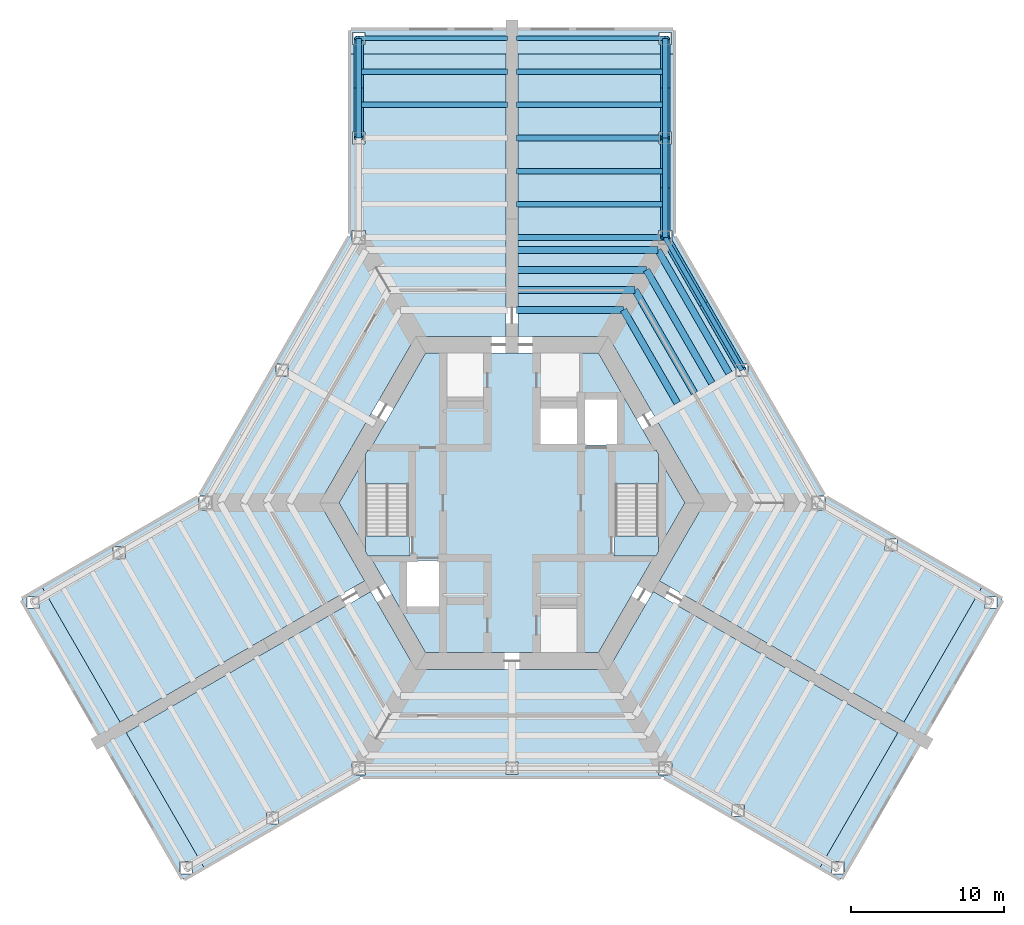
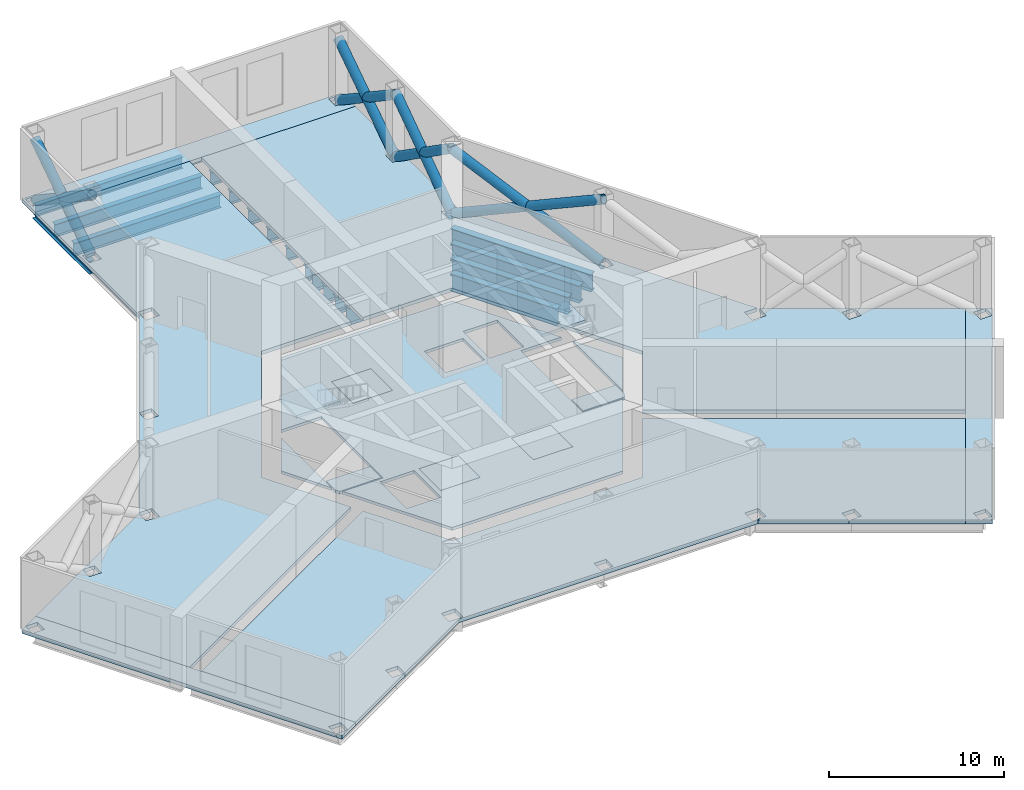
# One storey, part 3 of 8: 22 beams, 16 slabs, 8 members, 2 elements without a shape of their own.
"""IFC4 building model written with IfcOpenShell, lengths in metres."""

from ifc_helpers import new_model, si_unit, direction, frame, origin, origin_2d, place, context, subcontext, project, spatial, polyline, hollow_circle, i_section, outline, extrude, material, layer, layer_set, material_profile, profile_set, type_object, element, aggregate, save


model = new_model("IFC4")

# Units and contexts
model_context = context("Model", 3, precision=1e-05, world=origin(), true_north=direction((0.0, 1.0)))
body_context = subcontext(model_context, "Body", "Model", "MODEL_VIEW")
ifc_project = project(units=[si_unit("LENGTHUNIT", "METRE"), si_unit("AREAUNIT", "SQUARE_METRE"), si_unit("VOLUMEUNIT", "CUBIC_METRE"), si_unit("PLANEANGLEUNIT", "RADIAN"), si_unit("MASSUNIT", "GRAM", prefix="KILO")], contexts=[model_context])

# Site, building, storey
site_placement = place(None, origin())
site = spatial("IfcSite", under=ifc_project, at=site_placement, CompositionType="ELEMENT")
building_placement = place(site_placement, origin())
building = spatial("IfcBuilding", under=site, at=building_placement, Name="Kasaneha Research Tower", CompositionType="ELEMENT")
storey_placement = place(building_placement, frame((0.0, 0.0, 123.60009765625)))
storey = spatial("IfcBuildingStorey", under=building, at=storey_placement, Name="L31", CompositionType="ELEMENT", Elevation=123.60009765625)

# Beams
ifc_material_1 = material(Name="Steel SN490B", Category="steel")
ifc_material_profile_1 = material_profile(ifc_material_1, i_section(OverallWidth=0.449951171875, OverallDepth=1.199951171875, WebThickness=0.02197265625, FlangeThickness=0.0400390625, at=origin_2d()), Name="BH-1200x450x22x40")
ifc_profile_set_1 = profile_set([ifc_material_profile_1], Name="Steel SN490B")
beam_type_1 = type_object("IfcBeamType", Name="B1-5 secondary beam BH-1200x450x22x40", PredefinedType="JOIST", material=ifc_profile_set_1)
beam_1_placement = place(storey_placement, frame((7.274658203125, 12.60009765625, -0.85009765625), z_axis=(0.499989208252, -0.866031634313, 0.0), x_axis=(0.866031634313, 0.499989208252, 0.0)))
element("IfcBeam", 1, at=beam_1_placement, inside=storey, type_object=beam_type_1, Name="Secondary beam RS030R1 L31", PredefinedType="JOIST", context=body_context, shape_type="SweptSolid", body=[
    extrude(i_section(OverallWidth=0.449951171875, OverallDepth=1.199951171875, WebThickness=0.02197265625, FlangeThickness=0.0400390625, at=origin_2d()), origin(), (0.0, 0.0, 1.0), 7.024658203125),
])
beam_2_placement = place(storey_placement, frame((8.025146484375, 13.89990234375, -0.85009765625), z_axis=(0.500016004, -0.866016163673, 0.0), x_axis=(0.866016163673, 0.500016004, 0.0)))
element("IfcBeam", 2, at=beam_2_placement, inside=storey, type_object=beam_type_1, Name="Secondary beam RS030R2 L31", PredefinedType="JOIST", context=body_context, shape_type="SweptSolid", body=[
    extrude(i_section(OverallWidth=0.449951171875, OverallDepth=1.199951171875, WebThickness=0.02197265625, FlangeThickness=0.0400390625, at=origin_2d()), origin(), (0.0, 0.0, 1.0), 7.775146484375),
])
beam_3_placement = place(storey_placement, frame((8.775634765625, 15.199951171875, -0.85009765625), z_axis=(0.500004205306, -0.866022975836, 0.0), x_axis=(0.866022975836, 0.500004205306, 0.0)))
element("IfcBeam", 3, at=beam_3_placement, inside=storey, type_object=beam_type_1, Name="Secondary beam RS030R3 L31", PredefinedType="JOIST", context=body_context, shape_type="SweptSolid", body=[
    extrude(i_section(OverallWidth=0.449951171875, OverallDepth=1.199951171875, WebThickness=0.02197265625, FlangeThickness=0.0400390625, at=origin_2d()), origin(), (0.0, 0.0, 1.0), 8.52587890625),
])
beam_4_placement = place(storey_placement, frame((9.5263671875, 16.5, -0.85009765625), z_axis=(0.499985972961, -0.866033502147, 0.0), x_axis=(0.866033502147, 0.499985972961, 0.0)))
element("IfcBeam", 4, at=beam_4_placement, inside=storey, type_object=beam_type_1, Name="Secondary beam RS030R4 L31", PredefinedType="JOIST", context=body_context, shape_type="SweptSolid", body=[
    extrude(i_section(OverallWidth=0.449951171875, OverallDepth=1.199951171875, WebThickness=0.02197265625, FlangeThickness=0.0400390625, at=origin_2d()), origin(), (0.0, 0.0, 1.0), 9.276123046875),
])
beam_5_placement = place(storey_placement, frame((7.274658203125, 12.60009765625, -0.85009765625), z_axis=(-1.0, 0.0, 0.0), x_axis=(0.0, -1.0, 0.0)))
element("IfcBeam", 5, at=beam_5_placement, inside=storey, type_object=beam_type_1, Name="Secondary beam RS090L1 L31", PredefinedType="JOIST", context=body_context, shape_type="SweptSolid", body=[
    extrude(i_section(OverallWidth=0.449951171875, OverallDepth=1.199951171875, WebThickness=0.02197265625, FlangeThickness=0.0400390625, at=origin_2d()), origin(), (0.0, 0.0, 1.0), 6.974609375),
])
beam_6_placement = place(storey_placement, frame((8.025146484375, 13.89990234375, -0.85009765625), z_axis=(-1.0, 0.0, 0.0), x_axis=(0.0, -1.0, 0.0)))
element("IfcBeam", 6, at=beam_6_placement, inside=storey, type_object=beam_type_1, Name="Secondary beam RS090L2 L31", PredefinedType="JOIST", context=body_context, shape_type="SweptSolid", body=[
    extrude(i_section(OverallWidth=0.449951171875, OverallDepth=1.199951171875, WebThickness=0.02197265625, FlangeThickness=0.0400390625, at=origin_2d()), origin(), (0.0, 0.0, 1.0), 7.72509765625),
])
beam_7_placement = place(storey_placement, frame((8.775634765625, 15.199951171875, -0.85009765625), z_axis=(-1.0, 0.0, 0.0), x_axis=(0.0, -1.0, 0.0)))
element("IfcBeam", 7, at=beam_7_placement, inside=storey, type_object=beam_type_1, Name="Secondary beam RS090L3 L31", PredefinedType="JOIST", context=body_context, shape_type="SweptSolid", body=[
    extrude(i_section(OverallWidth=0.449951171875, OverallDepth=1.199951171875, WebThickness=0.02197265625, FlangeThickness=0.0400390625, at=origin_2d()), origin(), (0.0, 0.0, 1.0), 8.4755859375),
])
beam_8_placement = place(storey_placement, frame((9.5263671875, 16.5, -0.85009765625), z_axis=(-1.0, 0.0, 0.0), x_axis=(0.0, -1.0, 0.0)))
element("IfcBeam", 8, at=beam_8_placement, inside=storey, type_object=beam_type_1, Name="Secondary beam RS090L4 L31", PredefinedType="JOIST", context=body_context, shape_type="SweptSolid", body=[
    extrude(i_section(OverallWidth=0.449951171875, OverallDepth=1.199951171875, WebThickness=0.02197265625, FlangeThickness=0.0400390625, at=origin_2d()), origin(), (0.0, 0.0, 1.0), 9.226318359375),
])
ifc_material_2 = material(Name="Steel SN490B", Category="steel")
ifc_material_profile_2 = material_profile(ifc_material_2, i_section(OverallWidth=0.35009765625, OverallDepth=0.89990234375, WebThickness=0.01611328125, FlangeThickness=0.031982421875, at=origin_2d()), Name="BH-900x350x16x32")
ifc_profile_set_2 = profile_set([ifc_material_profile_2], Name="Steel SN490B")
beam_type_2 = type_object("IfcBeamType", Name="B2-5 secondary beam BH-900x350x16x32", PredefinedType="JOIST", material=ifc_profile_set_2)
for number, where, z_axis, x_axis, name in (
    (9, (10.0, 19.487060546875, -0.7001953125), (-1.0, 0.0, 0.0), (0.0, -1.0, 0.0), "Secondary beam WBAP1 L31"),
    (10, (10.0, 21.65380859375, -0.7001953125), (-1.0, 0.0, 0.0), (0.0, -1.0, 0.0), "Secondary beam WBAP2 L31"),
    (11, (10.0, 25.987060546875, -0.7001953125), (-1.0, 0.0, 0.0), (0.0, -1.0, 0.0), "Secondary beam WBAP3 L31"),
    (12, (10.0, 28.15380859375, -0.7001953125), (-1.0, 0.0, 0.0), (0.0, -1.0, 0.0), "Secondary beam WBAP4 L31"),
    (13, (-10.0, 25.987060546875, -0.7001953125), (1.0, 0.0, 0.0), (0.0, 1.0, 0.0), "Secondary beam WBAN3 L31"),
    (14, (-10.0, 28.15380859375, -0.7001953125), (1.0, 0.0, 0.0), (0.0, 1.0, 0.0), "Secondary beam WBAN4 L31"),
):
    element("IfcBeam", number, at=place(storey_placement, frame(where, z_axis=z_axis, x_axis=x_axis)), inside=storey, type_object=beam_type_2, Name=name, PredefinedType="JOIST", context=body_context, shape_type="SweptSolid", body=[
        extrude(i_section(OverallWidth=0.35009765625, OverallDepth=0.89990234375, WebThickness=0.01611328125, FlangeThickness=0.031982421875, at=origin_2d()), origin(), (0.0, 0.0, 1.0), 9.699951171875),
    ])
ifc_material_3 = material(Name="Steel SN490B", Category="steel")
ifc_material_profile_3 = material_profile(ifc_material_3, i_section(OverallWidth=0.35009765625, OverallDepth=0.89990234375, WebThickness=0.01611328125, FlangeThickness=0.031982421875, at=origin_2d()), Name="BH-900x350x16x32")
ifc_profile_set_3 = profile_set([ifc_material_profile_3], Name="Steel SN490B")
beam_type_3 = type_object("IfcBeamType", Name="BC1-5 belt chord BH-900x350x16x32", PredefinedType="BEAM", material=ifc_profile_set_3)
beam_9_placement = place(storey_placement, frame((10.0, 17.320556640625, -0.7001953125), z_axis=(0.0, 1.0, 0.0), x_axis=(-1.0, 0.0, 0.0)))
element("IfcBeam", 15, at=beam_9_placement, inside=storey, type_object=beam_type_3, Name="Belt chord WSAP1 L31", PredefinedType="BEAM", context=body_context, shape_type="SweptSolid", body=[
    extrude(i_section(OverallWidth=0.35009765625, OverallDepth=0.89990234375, WebThickness=0.01611328125, FlangeThickness=0.031982421875, at=origin_2d()), origin(), (0.0, 0.0, 1.0), 6.5),
])

# Members
ifc_material_4 = material(Name="Steel STKN490B", Category="steel")
ifc_material_profile_4 = material_profile(ifc_material_4, hollow_circle(Radius=0.3046875, WallThickness=0.031982421875, at=origin_2d()), Name="CHS-609.6x32.0")
ifc_profile_set_4 = profile_set([ifc_material_profile_4], Name="Steel STKN490B")
member_type = type_object("IfcMemberType", Name="BT2 belt truss diagonal CHS-609.6x32.0", PredefinedType="BRACE", material=ifc_profile_set_4)
for number, where, z_axis, x_axis, name in (
    (16, (-10.0, 23.939453125, 0.09130859375), (0.0, 0.831780917259, 0.555104049422), (-1.0, 0.0, 0.0), "Belt truss diagonal 6a L31"),
    (17, (-10.0, 30.20166015625, 0.09130859375), (0.0, -0.831780917259, 0.555104049422), (1.0, 0.0, 0.0), "Belt truss diagonal 6b L31"),
    (18, (10.0, 30.20166015625, 0.09130859375), (0.0, -0.831780917259, 0.555104049422), (1.0, 0.0, 0.0), "Belt truss diagonal 7a L31"),
    (19, (10.0, 23.939453125, 0.09130859375), (0.0, 0.831780917259, 0.555104049422), (-1.0, 0.0, 0.0), "Belt truss diagonal 7b L31"),
):
    element("IfcMember", number, at=place(storey_placement, frame(where, z_axis=z_axis, x_axis=x_axis)), inside=storey, type_object=member_type, Name=name, PredefinedType="BRACE", context=body_context, shape_type="SweptSolid", body=[
        extrude(hollow_circle(Radius=0.3046875, WallThickness=0.031982421875, at=origin_2d()), origin(), (0.0, 0.0, 1.0), 7.671630859375),
    ])
for number, where, z_axis, x_axis, name in (
    (20, (10.0, 23.70166015625, 0.09130859375), (0.0, -0.81973110016, 0.572748569121), (1.0, 0.0, 0.0), "Belt truss diagonal 8a L31"),
    (21, (10.0, 17.439453125, 0.09130859375), (0.0, 0.81973110016, 0.572748569121), (-1.0, 0.0, 0.0), "Belt truss diagonal 8b L31"),
):
    element("IfcMember", number, at=place(storey_placement, frame(where, z_axis=z_axis, x_axis=x_axis)), inside=storey, type_object=member_type, Name=name, PredefinedType="BRACE", context=body_context, shape_type="SweptSolid", body=[
        extrude(hollow_circle(Radius=0.3046875, WallThickness=0.031982421875, at=origin_2d()), origin(), (0.0, 0.0, 1.0), 7.784423828125),
    ])
for number, where, z_axis, x_axis, name in (
    (22, (10.067138671875, 17.204345703125, 0.06689453125), (0.456031422098, -0.789890209313, 0.410010730702), (0.866031054652, 0.499990212282, 0.0), "Belt truss diagonal 9a L31"),
    (23, (14.932861328125, 8.7763671875, 0.06689453125), (-0.456031422098, 0.789890209313, 0.410010730702), (-0.866031054652, -0.499990212282, 0.0), "Belt truss diagonal 9b L31"),
):
    element("IfcMember", number, at=place(storey_placement, frame(where, z_axis=z_axis, x_axis=x_axis)), inside=storey, type_object=member_type, Name=name, PredefinedType="BRACE", context=body_context, shape_type="SweptSolid", body=[
        extrude(hollow_circle(Radius=0.3046875, WallThickness=0.031982421875, at=origin_2d()), origin(), (0.0, 0.0, 1.0), 10.81689453125),
    ])

# Beams
ifc_material_5 = material(Name="Steel SN490B", Category="steel")
ifc_material_profile_5 = material_profile(ifc_material_5, i_section(OverallWidth=0.39990234375, OverallDepth=1.0, WebThickness=0.01904296875, FlangeThickness=0.035888671875, at=origin_2d()), Name="BH-1000x400x19x36")
ifc_profile_set_5 = profile_set([ifc_material_profile_5], Name="Steel SN490B")
beam_type_4 = type_object("IfcBeamType", Name="G3-5 plate edge girder BH-1000x400x19x36", PredefinedType="BEAM", material=ifc_profile_set_5)
beam_10_placement = place(storey_placement, frame((10.0, 17.320556640625, -0.75), z_axis=(-1.0, 0.0, 0.0), x_axis=(0.0, -1.0, 0.0)))
element("IfcBeam", 24, at=beam_10_placement, inside=storey, type_object=beam_type_4, Name="Plate edge girder PEAP L31", PredefinedType="BEAM", context=body_context, shape_type="SweptSolid", body=[
    extrude(i_section(OverallWidth=0.39990234375, OverallDepth=1.0, WebThickness=0.01904296875, FlangeThickness=0.035888671875, at=origin_2d()), origin(), (0.0, 0.0, 1.0), 9.699951171875),
])
ifc_material_6 = material(Name="Steel SN490B", Category="steel")
ifc_material_profile_6 = material_profile(ifc_material_6, i_section(OverallWidth=0.39990234375, OverallDepth=1.0, WebThickness=0.01904296875, FlangeThickness=0.035888671875, at=origin_2d()), Name="BH-1000x400x19x36")
ifc_profile_set_6 = profile_set([ifc_material_profile_6], Name="Steel SN490B")
beam_type_5 = type_object("IfcBeamType", Name="G4-5 wing girder BH-1000x400x19x36", PredefinedType="BEAM", material=ifc_profile_set_6)
beam_11_placement = place(storey_placement, frame((10.0, 23.820556640625, -0.75), z_axis=(-1.0, 0.0, 0.0), x_axis=(0.0, -1.0, 0.0)))
element("IfcBeam", 25, at=beam_11_placement, inside=storey, type_object=beam_type_5, Name="Wing girder WGAP L31", PredefinedType="BEAM", context=body_context, shape_type="SweptSolid", body=[
    extrude(i_section(OverallWidth=0.39990234375, OverallDepth=1.0, WebThickness=0.01904296875, FlangeThickness=0.035888671875, at=origin_2d()), origin(), (0.0, 0.0, 1.0), 9.699951171875),
])
ifc_material_7 = material(Name="Steel SN490B", Category="steel")
ifc_material_profile_7 = material_profile(ifc_material_7, i_section(OverallWidth=0.300048828125, OverallDepth=0.800048828125, WebThickness=0.013916015625, FlangeThickness=0.02587890625, FilletRadius=0.01806640625, at=origin_2d()), Name="H-800x300x14x26")
ifc_profile_set_7 = profile_set([ifc_material_profile_7], Name="Steel SN490B")
beam_type_6 = type_object("IfcBeamType", Name="SB1-5 spandrel beam H-800x300x14x26", PredefinedType="SPANDREL", material=ifc_profile_set_7)
beam_12_placement = place(storey_placement, frame((10.0, 17.320556640625, -0.650146484375), z_axis=(0.499993662806, -0.866029062534, 0.0), x_axis=(0.866029062534, 0.499993662806, 0.0)))
element("IfcBeam", 26, at=beam_12_placement, inside=storey, type_object=beam_type_6, Name="Spandrel beam SR030R L31", PredefinedType="SPANDREL", context=body_context, shape_type="SweptSolid", body=[
    extrude(i_section(OverallWidth=0.300048828125, OverallDepth=0.800048828125, WebThickness=0.013916015625, FlangeThickness=0.02587890625, FilletRadius=0.01806640625, at=origin_2d()), origin(), (0.0, 0.0, 1.0), 10.000244140625),
])
ifc_material_8 = material(Name="Steel SN490B", Category="steel")
ifc_material_profile_8 = material_profile(ifc_material_8, i_section(OverallWidth=0.35009765625, OverallDepth=0.89990234375, WebThickness=0.01611328125, FlangeThickness=0.031982421875, at=origin_2d()), Name="BH-900x350x16x32")
ifc_profile_set_8 = profile_set([ifc_material_profile_8], Name="Steel SN490B")
beam_type_7 = type_object("IfcBeamType", Name="SB2-5 spandrel beam BH-900x350x16x32", PredefinedType="SPANDREL", material=ifc_profile_set_8)
for number, where, z_axis, x_axis, name in (
    (27, (10.0, 23.820556640625, -0.7001953125), (0.0, 1.0, 0.0), (-1.0, 0.0, 0.0), "Spandrel beam WSAP2 L31"),
    (28, (-10.0, 23.820556640625, -0.7001953125), (0.0, 1.0, 0.0), (-1.0, 0.0, 0.0), "Spandrel beam WSAN2 L31"),
):
    element("IfcBeam", number, at=place(storey_placement, frame(where, z_axis=z_axis, x_axis=x_axis)), inside=storey, type_object=beam_type_7, Name=name, PredefinedType="SPANDREL", context=body_context, shape_type="SweptSolid", body=[
        extrude(i_section(OverallWidth=0.35009765625, OverallDepth=0.89990234375, WebThickness=0.01611328125, FlangeThickness=0.031982421875, at=origin_2d()), origin(), (0.0, 0.0, 1.0), 6.5),
    ])
ifc_material_9 = material(Name="Steel SN490B", Category="steel")
ifc_material_profile_9 = material_profile(ifc_material_9, i_section(OverallWidth=0.300048828125, OverallDepth=0.7919921875, WebThickness=0.013916015625, FlangeThickness=0.02197265625, FilletRadius=0.01806640625, at=origin_2d()), Name="H-792x300x14x22")
ifc_profile_set_9 = profile_set([ifc_material_profile_9], Name="Steel SN490B")
beam_type_8 = type_object("IfcBeamType", Name="SB3-5 spandrel beam H-792x300x14x22", PredefinedType="SPANDREL", material=ifc_profile_set_9)
for number, where, z_axis, x_axis, name in (
    (29, (10.0, 30.320556640625, -0.64599609375), (-1.0, 0.0, 0.0), (0.0, -1.0, 0.0), "Spandrel beam WTAP L31"),
    (30, (-10.0, 30.320556640625, -0.64599609375), (1.0, 0.0, 0.0), (0.0, 1.0, 0.0), "Spandrel beam WTAN L31"),
):
    element("IfcBeam", number, at=place(storey_placement, frame(where, z_axis=z_axis, x_axis=x_axis)), inside=storey, type_object=beam_type_8, Name=name, PredefinedType="SPANDREL", context=body_context, shape_type="SweptSolid", body=[
        extrude(i_section(OverallWidth=0.300048828125, OverallDepth=0.7919921875, WebThickness=0.013916015625, FlangeThickness=0.02197265625, FilletRadius=0.01806640625, at=origin_2d()), origin(), (0.0, 0.0, 1.0), 9.699951171875),
    ])

# Slabs
ifc_material_10 = material(Name="Concrete Fc24", Category="concrete")
ifc_layer_1 = layer(ifc_material_10, 0.199951171875)
ifc_layer_set_1 = layer_set([ifc_layer_1], Name="Core floor slab 200")
slab_type_1 = type_object("IfcSlabType", Name="Core floor slab 200", PredefinedType="FLOOR", material=ifc_layer_set_1)
slab_1_placement = place(storey_placement, frame((0.0, 0.0, -0.2001953125)))
element("IfcSlab", 31, at=slab_1_placement, inside=storey, type_object=slab_type_1, Name="Core slab L31", PredefinedType="FLOOR", context=body_context, shape_type="SweptSolid", body=[
    extrude(outline(polyline([(-11.287109375, 0.0), (-9.625, 2.87890625), (-9.625, -2.87890625), (-11.287109375, 0.0)])), origin(), (0.0, 0.0, 1.0), 0.2001953125),
])
slab_2_placement = place(storey_placement, frame((0.0, 0.0, -0.2001953125)))
element("IfcSlab", 32, at=slab_2_placement, inside=storey, type_object=slab_type_1, Name="Core slab L31", PredefinedType="FLOOR", context=body_context, shape_type="SweptSolid", body=[
    extrude(outline(polyline([(-5.6435546875, 9.77490234375), (5.6435546875, 9.77490234375), (9.251953125, 3.52490234375), (6.574951171875, 3.52490234375), (6.574951171875, -3.52490234375), (9.251953125, -3.52490234375), (5.6435546875, -9.77490234375), (-5.6435546875, -9.77490234375), (-9.251953125, -3.52490234375), (-6.574951171875, -3.52490234375), (-6.574951171875, 3.52490234375), (-9.251953125, 3.52490234375), (-5.6435546875, 9.77490234375)]), holes=[polyline([(-6.925048828125, -3.77490234375), (-6.925048828125, -6.824951171875), (-4.675048828125, -6.824951171875), (-4.675048828125, -3.77490234375), (-6.925048828125, -3.77490234375)]), polyline([(-4.35009765625, -3.75), (-4.35009765625, -6.25), (-1.75, -6.25), (-1.75, -3.75), (-4.35009765625, -3.75)]), polyline([(1.75, -3.75), (1.75, -6.25), (4.35009765625, -6.25), (4.35009765625, -3.75), (1.75, -3.75)]), polyline([(-4.35009765625, 6.25), (-4.35009765625, 3.75), (-1.75, 3.75), (-1.75, 6.25), (-4.35009765625, 6.25)]), polyline([(1.77490234375, 6.22509765625), (1.77490234375, 3.77490234375), (4.324951171875, 3.77490234375), (4.324951171875, 6.22509765625), (1.77490234375, 6.22509765625)]), polyline([(4.675048828125, 6.824951171875), (4.675048828125, 3.77490234375), (6.925048828125, 3.77490234375), (6.925048828125, 6.824951171875), (4.675048828125, 6.824951171875)])]), origin(), (0.0, 0.0, 1.0), 0.2001953125),
])
slab_3_placement = place(storey_placement, frame((0.0, 0.0, -0.2001953125)))
element("IfcSlab", 33, at=slab_3_placement, inside=storey, type_object=slab_type_1, Name="Core slab L31", PredefinedType="FLOOR", context=body_context, shape_type="SweptSolid", body=[
    extrude(outline(polyline([(11.287109375, 0.0), (9.625, -2.87890625), (9.625, 2.87890625), (11.287109375, 0.0)])), origin(), (0.0, 0.0, 1.0), 0.2001953125),
])
ifc_material_11 = material(Name="Concrete Fc24", Category="concrete")
ifc_layer_2 = layer(ifc_material_11, 0.25)
ifc_layer_set_2 = layer_set([ifc_layer_2], Name="Floor slab 250")
slab_type_2 = type_object("IfcSlabType", Name="Floor slab 250", PredefinedType="FLOOR", material=ifc_layer_set_2)
slab_4_placement = place(storey_placement, frame((0.0, 0.0, -0.25)))
element("IfcSlab", 34, at=slab_4_placement, inside=storey, type_object=slab_type_2, Name="Floor slab L31 1", PredefinedType="FLOOR", context=body_context, shape_type="SweptSolid", body=[
    extrude(outline(polyline([(-25.1923828125, -15.006591796875), (-25.18359375, -15.001708984375), (-20.108642578125, -23.791748046875), (-21.459716796875, -24.57177734375), (-21.65576171875, -24.232177734375), (-21.644287109375, -24.220703125), (-20.858154296875, -24.220703125), (-20.858154296875, -23.42041015625), (-21.658447265625, -23.42041015625), (-21.658447265625, -24.20654296875), (-21.666015625, -24.214111328125), (-31.65576171875, -6.91162109375), (-31.644287109375, -6.900146484375), (-30.858154296875, -6.900146484375), (-30.858154296875, -6.099853515625), (-31.658447265625, -6.099853515625), (-31.658447265625, -6.885986328125), (-31.666015625, -6.8935546875), (-32.009521484375, -6.298583984375), (-30.65869140625, -5.518798828125), (-25.583740234375, -14.308837890625), (-25.59228515625, -14.313720703125), (-25.1923828125, -15.006591796875)])), origin(), (0.0, 0.0, 1.0), 0.25),
])
slab_5_placement = place(storey_placement, frame((0.0, 0.0, -0.25)))
element("IfcSlab", 35, at=slab_5_placement, inside=storey, type_object=slab_type_2, Name="Floor slab L31 2", PredefinedType="FLOOR", context=body_context, shape_type="SweptSolid", body=[
    extrude(outline(polyline([(-20.375244140625, 0.449951171875), (-15.40771484375, 9.053955078125), (-15.400146484375, 9.046142578125), (-15.400146484375, 8.26025390625), (-14.599853515625, 8.26025390625), (-14.599853515625, 9.060302734375), (-15.385986328125, 9.060302734375), (-15.3974609375, 9.07177734375), (-10.550048828125, 17.4677734375), (-10.550048828125, 29.310546875), (-0.39990234375, 29.310546875), (-0.39990234375, 10.875), (-6.278564453125, 10.875), (-12.557373046875, 0.0), (-9.617919921875, -5.091064453125), (-25.583740234375, -14.308837890625), (-30.65869140625, -5.518798828125), (-26.040771484375, -2.8525390625), (-26.029296875, -2.864013671875), (-26.029296875, -3.650146484375), (-25.22900390625, -3.650146484375), (-25.22900390625, -2.849853515625), (-26.01513671875, -2.849853515625), (-26.02294921875, -2.84228515625), (-20.449951171875, 0.375244140625), (-20.449951171875, -0.449951171875), (-19.550048828125, -0.449951171875), (-19.550048828125, 0.449951171875), (-20.375244140625, 0.449951171875)]), holes=[polyline([(-9.550048828125, 17.7705078125), (-10.449951171875, 17.7705078125), (-10.449951171875, 16.87060546875), (-9.550048828125, 16.87060546875), (-9.550048828125, 17.7705078125)]), polyline([(-9.60009765625, 23.42041015625), (-9.60009765625, 24.220458984375), (-10.39990234375, 24.220458984375), (-10.39990234375, 23.42041015625), (-9.60009765625, 23.42041015625)])]), origin(), (0.0, 0.0, 1.0), 0.25),
])
slab_6_placement = place(storey_placement, frame((0.0, 0.0, -0.25)))
element("IfcSlab", 36, at=slab_6_placement, inside=storey, type_object=slab_type_2, Name="Floor slab L31 3", PredefinedType="FLOOR", context=body_context, shape_type="SweptSolid", body=[
    extrude(outline(polyline([(10.550048828125, 29.310546875), (0.39990234375, 29.310546875), (0.39990234375, 29.320556640625), (-0.39990234375, 29.320556640625), (-0.39990234375, 29.310546875), (-10.550048828125, 29.310546875), (-10.550048828125, 30.87060546875), (10.550048828125, 30.87060546875), (10.550048828125, 29.310546875)]), holes=[polyline([(-9.60009765625, 30.720458984375), (-10.39990234375, 30.720458984375), (-10.39990234375, 29.92041015625), (-9.60009765625, 29.92041015625), (-9.60009765625, 30.720458984375)]), polyline([(10.39990234375, 29.92041015625), (10.39990234375, 30.720458984375), (9.60009765625, 30.720458984375), (9.60009765625, 29.92041015625), (10.39990234375, 29.92041015625)])]), origin(), (0.0, 0.0, 1.0), 0.25),
])
slab_7_placement = place(storey_placement, frame((0.0, 0.0, -0.25)))
element("IfcSlab", 37, at=slab_7_placement, inside=storey, type_object=slab_type_2, Name="Floor slab L31 4", PredefinedType="FLOOR", context=body_context, shape_type="SweptSolid", body=[
    extrude(outline(polyline([(-6.278564453125, -10.875), (6.278564453125, -10.875), (9.218017578125, -5.783935546875), (25.18359375, -15.001708984375), (20.108642578125, -23.791748046875), (14.369384765625, -20.478271484375), (14.377197265625, -20.470703125), (15.163330078125, -20.470703125), (15.163330078125, -19.67041015625), (14.363037109375, -19.67041015625), (14.363037109375, -20.45654296875), (14.3515625, -20.468017578125), (9.8525390625, -17.87060546875), (-9.8525390625, -17.87060546875), (-15.217529296875, -20.968017578125), (-15.22900390625, -20.95654296875), (-15.22900390625, -20.17041015625), (-16.029296875, -20.17041015625), (-16.029296875, -20.970703125), (-15.2431640625, -20.970703125), (-15.235595703125, -20.978271484375), (-20.108642578125, -23.791748046875), (-25.18359375, -15.001708984375), (-9.218017578125, -5.783935546875), (-6.278564453125, -10.875)]), holes=[polyline([(0.39990234375, -17.720458984375), (0.39990234375, -16.92041015625), (-0.39990234375, -16.92041015625), (-0.39990234375, -17.720458984375), (0.39990234375, -17.720458984375)]), polyline([(-9.550048828125, -16.87060546875), (-10.449951171875, -16.87060546875), (-10.449951171875, -17.7705078125), (-9.550048828125, -17.7705078125), (-9.550048828125, -16.87060546875)]), polyline([(10.449951171875, -16.87060546875), (9.550048828125, -16.87060546875), (9.550048828125, -17.7705078125), (10.449951171875, -17.7705078125), (10.449951171875, -16.87060546875)])]), origin(), (0.0, 0.0, 1.0), 0.25),
])
slab_8_placement = place(storey_placement, frame((0.0, 0.0, -0.25)))
element("IfcSlab", 38, at=slab_8_placement, inside=storey, type_object=slab_type_2, Name="Floor slab L31 5", PredefinedType="FLOOR", context=body_context, shape_type="SweptSolid", body=[
    extrude(outline(polyline([(9.617919921875, -5.091064453125), (12.557373046875, 0.0), (6.278564453125, 10.875), (0.39990234375, 10.875), (0.39990234375, 29.310546875), (10.550048828125, 29.310546875), (10.550048828125, 17.4677734375), (15.3974609375, 9.07177734375), (15.385986328125, 9.060302734375), (14.599853515625, 9.060302734375), (14.599853515625, 8.26025390625), (15.400146484375, 8.26025390625), (15.400146484375, 9.046142578125), (15.40771484375, 9.053955078125), (20.375244140625, 0.449951171875), (19.550048828125, 0.449951171875), (19.550048828125, -0.449951171875), (20.449951171875, -0.449951171875), (20.449951171875, 0.375244140625), (25.15673828125, -2.34228515625), (25.149169921875, -2.349853515625), (24.363037109375, -2.349853515625), (24.363037109375, -3.150146484375), (25.163330078125, -3.150146484375), (25.163330078125, -2.364013671875), (25.1748046875, -2.3525390625), (30.65869140625, -5.518798828125), (25.583740234375, -14.308837890625), (9.617919921875, -5.091064453125)]), holes=[polyline([(10.449951171875, 16.87060546875), (10.449951171875, 17.7705078125), (9.550048828125, 17.7705078125), (9.550048828125, 16.87060546875), (10.449951171875, 16.87060546875)]), polyline([(10.39990234375, 23.42041015625), (10.39990234375, 24.220458984375), (9.60009765625, 24.220458984375), (9.60009765625, 23.42041015625), (10.39990234375, 23.42041015625)])]), origin(), (0.0, 0.0, 1.0), 0.25),
])
slab_9_placement = place(storey_placement, frame((0.0, 0.0, -0.25)))
element("IfcSlab", 39, at=slab_9_placement, inside=storey, type_object=slab_type_2, Name="Floor slab L31 6", PredefinedType="FLOOR", context=body_context, shape_type="SweptSolid", body=[
    extrude(outline(polyline([(25.1923828125, -15.006591796875), (25.59228515625, -14.313720703125), (25.583740234375, -14.308837890625), (30.65869140625, -5.518798828125), (32.009521484375, -6.298583984375), (31.666015625, -6.8935546875), (31.658447265625, -6.885986328125), (31.658447265625, -6.099853515625), (30.858154296875, -6.099853515625), (30.858154296875, -6.900146484375), (31.644287109375, -6.900146484375), (31.65576171875, -6.91162109375), (21.666015625, -24.214111328125), (21.658447265625, -24.20654296875), (21.658447265625, -23.42041015625), (20.858154296875, -23.42041015625), (20.858154296875, -24.220703125), (21.644287109375, -24.220703125), (21.65576171875, -24.232177734375), (21.459716796875, -24.57177734375), (20.108642578125, -23.791748046875), (25.18359375, -15.001708984375), (25.1923828125, -15.006591796875)])), origin(), (0.0, 0.0, 1.0), 0.25),
])
ifc_material_12 = material(Name="Concrete Fc24", Category="concrete")
ifc_layer_3 = layer(ifc_material_12, 0.300048828125)
ifc_layer_set_3 = layer_set([ifc_layer_3], Name="Lift pit slab 300")
slab_type_3 = type_object("IfcSlabType", Name="Lift pit slab 300", PredefinedType="USERDEFINED", material=ifc_layer_set_3)
slab_10_placement = place(storey_placement, frame((0.0, 0.0, -0.300048828125)))
element("IfcSlab", 40, at=slab_10_placement, inside=storey, type_object=slab_type_3, Name="Lift pit slab LM2", ObjectType="LIFT PIT SLAB", PredefinedType="USERDEFINED", context=body_context, shape_type="SweptSolid", body=[
    extrude(outline(polyline([(4.35009765625, -6.25), (1.75, -6.25), (1.75, -3.75), (4.35009765625, -3.75), (4.35009765625, -6.25)])), origin(), (0.0, 0.0, 1.0), 0.300048828125),
])
slab_11_placement = place(storey_placement, frame((0.0, 0.0, -0.300048828125)))
element("IfcSlab", 41, at=slab_11_placement, inside=storey, type_object=slab_type_3, Name="Lift pit slab LM1", ObjectType="LIFT PIT SLAB", PredefinedType="USERDEFINED", context=body_context, shape_type="SweptSolid", body=[
    extrude(outline(polyline([(-1.75, 3.75), (-4.35009765625, 3.75), (-4.35009765625, 6.25), (-1.75, 6.25), (-1.75, 3.75)])), origin(), (0.0, 0.0, 1.0), 0.300048828125),
])
slab_12_placement = place(storey_placement, frame((0.0, 0.0, -0.300048828125)))
element("IfcSlab", 42, at=slab_12_placement, inside=storey, type_object=slab_type_3, Name="Lift pit slab LM3", ObjectType="LIFT PIT SLAB", PredefinedType="USERDEFINED", context=body_context, shape_type="SweptSolid", body=[
    extrude(outline(polyline([(-1.75, -6.25), (-4.35009765625, -6.25), (-4.35009765625, -3.75), (-1.75, -3.75), (-1.75, -6.25)])), origin(), (0.0, 0.0, 1.0), 0.300048828125),
])

# Stair, slabs
ifc_material_13 = material(Name="Concrete Fc24", Category="concrete")
stair_type = type_object("IfcStairType", Name="Half-turn stair 28 risers", PredefinedType="HALF_TURN_STAIR", material=ifc_material_13)
stair_1_placement = place(storey_placement, origin())
stair_1 = element("IfcStair", 43, at=stair_1_placement, inside=storey, type_object=stair_type, Name="Stair 1 L31", PredefinedType="HALF_TURN_STAIR")
ifc_material_14 = material(Name="Concrete Fc24", Category="concrete")
ifc_layer_4 = layer(ifc_material_14, 0.199951171875)
ifc_layer_set_4 = layer_set([ifc_layer_4], Name="Stair 1 landing 200")
slab_type_4 = type_object("IfcSlabType", Name="Stair 1 landing 200", PredefinedType="LANDING", material=ifc_layer_set_4)
slab_13_placement = place(storey_placement, frame((0.0, 0.0, -0.2001953125)))
slab_13 = element("IfcSlab", 44, at=slab_13_placement, type_object=slab_type_4, Name="ST1-28R landing 1", PredefinedType="LANDING", context=body_context, shape_type="SweptSolid", body=[
    extrude(outline(polyline([(9.410888671875, -3.449951171875), (6.64990234375, -3.449951171875), (6.64990234375, -2.14990234375), (9.550048828125, -2.14990234375), (9.550048828125, -3.208984375), (9.410888671875, -3.449951171875)])), origin(), (0.0, 0.0, 1.0), 0.2001953125),
])
slab_14_placement = place(storey_placement, frame((0.0, 0.0, 2.2998046875)))
slab_14 = element("IfcSlab", 45, at=slab_14_placement, type_object=slab_type_4, Name="ST1-28R landing 2", PredefinedType="LANDING", context=body_context, shape_type="SweptSolid", body=[
    extrude(outline(polyline([(6.64990234375, 3.449951171875), (9.410888671875, 3.449951171875), (9.550048828125, 3.208984375), (9.550048828125, 1.22998046875), (6.64990234375, 1.22998046875), (6.64990234375, 3.449951171875)])), origin(), (0.0, 0.0, 1.0), 0.2001953125),
])
aggregate(stair_1, [slab_13, slab_14])

stair_2_placement = place(storey_placement, origin())
stair_2 = element("IfcStair", 46, at=stair_2_placement, inside=storey, type_object=stair_type, Name="Stair 2 L31", PredefinedType="HALF_TURN_STAIR")
ifc_material_15 = material(Name="Concrete Fc24", Category="concrete")
ifc_layer_5 = layer(ifc_material_15, 0.199951171875)
ifc_layer_set_5 = layer_set([ifc_layer_5], Name="Stair 2 landing 200")
slab_type_5 = type_object("IfcSlabType", Name="Stair 2 landing 200", PredefinedType="LANDING", material=ifc_layer_set_5)
slab_15_placement = place(storey_placement, frame((0.0, 0.0, -0.2001953125)))
slab_15 = element("IfcSlab", 47, at=slab_15_placement, type_object=slab_type_5, Name="ST2-28R landing 1", PredefinedType="LANDING", context=body_context, shape_type="SweptSolid", body=[
    extrude(outline(polyline([(-6.64990234375, -3.449951171875), (-9.410888671875, -3.449951171875), (-9.550048828125, -3.208984375), (-9.550048828125, -2.14990234375), (-6.64990234375, -2.14990234375), (-6.64990234375, -3.449951171875)])), origin(), (0.0, 0.0, 1.0), 0.2001953125),
])
slab_16_placement = place(storey_placement, frame((0.0, 0.0, 2.2998046875)))
slab_16 = element("IfcSlab", 48, at=slab_16_placement, type_object=slab_type_5, Name="ST2-28R landing 2", PredefinedType="LANDING", context=body_context, shape_type="SweptSolid", body=[
    extrude(outline(polyline([(-6.64990234375, 1.22998046875), (-9.550048828125, 1.22998046875), (-9.550048828125, 3.208984375), (-9.410888671875, 3.449951171875), (-6.64990234375, 3.449951171875), (-6.64990234375, 1.22998046875)])), origin(), (0.0, 0.0, 1.0), 0.2001953125),
])
aggregate(stair_2, [slab_15, slab_16])

save(model, "model.ifc")
